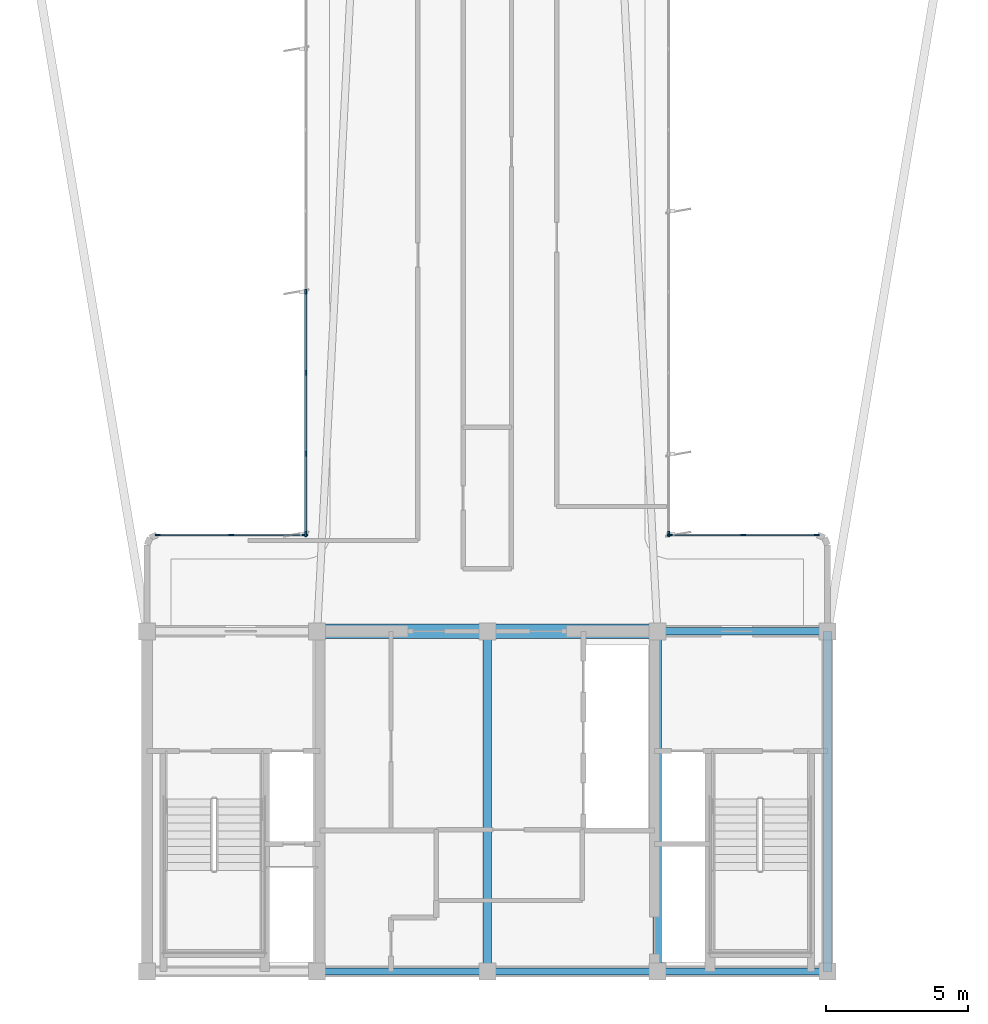
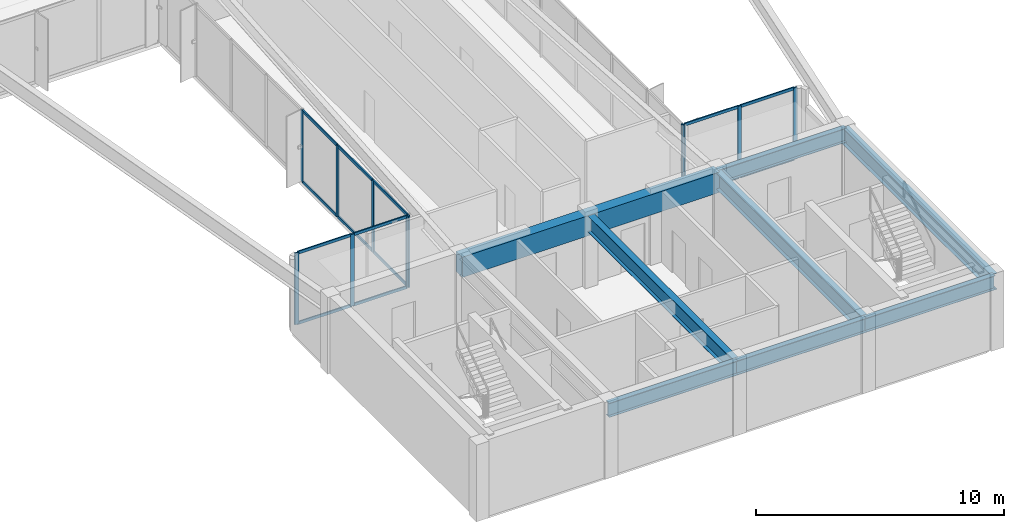
# One storey, part 2 of 16: 25 members, 8 beams, 4 elements without a shape of their own.
"""IFC4 building model written with IfcOpenShell, lengths in metres."""

from ifc_helpers import new_model, si_unit, direction, frame, origin, origin_2d, place, context, subcontext, project, spatial, rectangle, i_section, extrude, source, transform, mapped, material, layer, layer_set, material_profile, profile_set, type_object, element, aggregate, save


model = new_model("IFC4")

# Units and contexts
model_context = context("Model", 3, precision=1e-05, world=origin(), true_north=direction((0.0, 1.0)))
body_context = subcontext(model_context, "Body", "Model", "MODEL_VIEW")
ifc_project = project(units=[si_unit("LENGTHUNIT", "METRE"), si_unit("AREAUNIT", "SQUARE_METRE"), si_unit("VOLUMEUNIT", "CUBIC_METRE"), si_unit("PLANEANGLEUNIT", "RADIAN"), si_unit("MASSUNIT", "GRAM", prefix="KILO")], contexts=[model_context])

# Site, building, storey
site_placement = place(None, origin())
site = spatial("IfcSite", under=ifc_project, at=site_placement, CompositionType="ELEMENT")
building_placement = place(site_placement, origin())
building = spatial("IfcBuilding", under=site, at=building_placement, Name="Brelvock Crest Care Tower", CompositionType="ELEMENT")
storey_placement = place(building_placement, frame((0.0, 0.0, 230.580078125)))
storey = spatial("IfcBuildingStorey", under=building, at=storey_placement, Name="L58", CompositionType="ELEMENT", Elevation=230.580078125)

# Beams
ifc_material_1 = material(Name="Steel Grade 350", Category="steel")
ifc_material_profile_1 = material_profile(ifc_material_1, i_section(OverallWidth=0.25, OverallDepth=0.699951171875, WebThickness=0.011962890625, FlangeThickness=0.02001953125, at=origin_2d()), Name="700WB150")
ifc_profile_set_1 = profile_set([ifc_material_profile_1], Name="Steel Grade 350")
beam_type_1 = type_object("IfcBeamType", Name="BM-G4", PredefinedType="BEAM", material=ifc_profile_set_1)
shared_shape_1 = source(origin(), body_context, "Body", "SweptSolid", [
    extrude(i_section(OverallWidth=0.25, OverallDepth=0.699951171875, WebThickness=0.011962890625, FlangeThickness=0.02001953125, at=origin_2d()), origin(), (0.0, 0.0, 1.0), 6.0),
])
for number, where, z_axis, x_axis, name in (
    (1, (30.0, 6.0, 3.179931640625), (1.0, 0.0, 0.0), (0.0, 1.0, 0.0), "BM-CORES-L58-2"),
    (2, (36.0, 6.0, 3.179931640625), (1.0, 0.0, 0.0), (0.0, 1.0, 0.0), "BM-CORES-L58-3"),
    (3, (42.0, 6.0, 3.179931640625), (1.0, 0.0, 0.0), (0.0, 1.0, 0.0), "BM-CORES-L58-4"),
    (4, (42.0, 18.0, 3.179931640625), (1.0, 0.0, 0.0), (0.0, 1.0, 0.0), "BM-COREN-L58-4"),
):
    element("IfcBeam", number, at=place(storey_placement, frame(where, z_axis=z_axis, x_axis=x_axis)), inside=storey, type_object=beam_type_1, Name=name, PredefinedType="BEAM", context=body_context, shape_type="MappedRepresentation", body=[
        mapped(shared_shape_1, transform((0.0, 0.0, 0.0), x_axis=(1.0, 0.0, 0.0), y_axis=(0.0, 1.0, 0.0), z_axis=(0.0, 0.0, 1.0), scale=1.0)),
    ])
ifc_material_profile_2 = material_profile(ifc_material_1, i_section(OverallWidth=0.300048828125, OverallDepth=0.800048828125, WebThickness=0.013916015625, FlangeThickness=0.02197265625, at=origin_2d()), Name="800WB192")
ifc_profile_set_2 = profile_set([ifc_material_profile_2], Name="Steel Grade 350")
beam_type_2 = type_object("IfcBeamType", Name="BM-G5", PredefinedType="BEAM", material=ifc_profile_set_2)
shared_shape_2 = source(origin(), body_context, "Body", "SweptSolid", [
    extrude(i_section(OverallWidth=0.300048828125, OverallDepth=0.800048828125, WebThickness=0.013916015625, FlangeThickness=0.02197265625, at=origin_2d()), origin(), (0.0, 0.0, 1.0), 12.0),
])
for number, where, z_axis, x_axis, name in (
    (5, (36.0, 6.0, 3.1298828125), (0.0, 1.0, 0.0), (-1.0, 0.0, 0.0), "BM-COREX-L58-3"),
    (6, (42.0, 6.0, 3.1298828125), (0.0, 1.0, 0.0), (-1.0, 0.0, 0.0), "BM-COREX-L58-4"),
    (7, (48.0, 6.0, 3.1298828125), (0.0, 1.0, 0.0), (-1.0, 0.0, 0.0), "BM-COREX-L58-5"),
):
    element("IfcBeam", number, at=place(storey_placement, frame(where, z_axis=z_axis, x_axis=x_axis)), inside=storey, type_object=beam_type_2, Name=name, PredefinedType="BEAM", context=body_context, shape_type="MappedRepresentation", body=[
        mapped(shared_shape_2, transform((0.0, 0.0, 0.0), x_axis=(1.0, 0.0, 0.0), y_axis=(0.0, 1.0, 0.0), z_axis=(0.0, 0.0, 1.0), scale=1.0)),
    ])
ifc_material_2 = material(Name="Concrete S65 (65 MPa)", Category="concrete")
ifc_material_profile_3 = material_profile(ifc_material_2, rectangle(XDim=0.5, YDim=1.0, at=origin_2d()), Name="RC500x1000")
ifc_profile_set_3 = profile_set([ifc_material_profile_3], Name="Concrete S65 (65 MPa)")
beam_type_3 = type_object("IfcBeamType", Name="BM-LN2", PredefinedType="LINTEL", material=ifc_profile_set_3)
shared_shape_3 = source(origin(), body_context, "Body", "SweptSolid", [
    extrude(rectangle(XDim=0.5, YDim=1.0, at=origin_2d()), origin(), (0.0, 0.0, 1.0), 12.0),
])
beam_placement = place(storey_placement, frame((30.0, 18.0, 3.030029296875), z_axis=(1.0, 0.0, 0.0), x_axis=(0.0, 1.0, 0.0)))
element("IfcBeam", 8, at=beam_placement, inside=storey, type_object=beam_type_3, Name="L58 Core Coupling Lintel Beam", PredefinedType="LINTEL", context=body_context, shape_type="MappedRepresentation", body=[
    mapped(shared_shape_3, transform((0.0, 0.0, 0.0), x_axis=(1.0, 0.0, 0.0), y_axis=(0.0, 1.0, 0.0), z_axis=(0.0, 0.0, 1.0), scale=1.0)),
])

# Curtain wall, members
ifc_material_3 = material(Name="Dark Glass Double Glazed Low-E", Category="glass")
ifc_layer = layer(ifc_material_3, 0.239990234375, Name="CWS-5")
ifc_layer_set = layer_set([ifc_layer], Name="Dark Glass Double Glazed Low-E")
curtain_wall_type = type_object("IfcCurtainWallType", Name="CWS-5", PredefinedType="NOTDEFINED", material=ifc_layer_set)
curtain_wall_1_placement = place(storey_placement, origin())
curtain_wall_1 = element("IfcCurtainWall", 9, at=curtain_wall_1_placement, inside=storey, type_object=curtain_wall_type, Name="L58 Curtain Wall E10", PredefinedType="NOTDEFINED")
ifc_material_4 = material(Name="Aluminium 6063-T6", Category="aluminium")
ifc_material_profile_4 = material_profile(ifc_material_4, rectangle(XDim=0.06005859375, YDim=0.179931640625, at=origin_2d()), Name="ALU60x180")
ifc_profile_set_4 = profile_set([ifc_material_profile_4], Name="Aluminium 6063-T6")
member_type_1 = type_object("IfcMemberType", Name="CWM-2", PredefinedType="MULLION", material=ifc_profile_set_4)
shared_shape_4 = source(origin(), body_context, "Body", "SweptSolid", [
    extrude(rectangle(XDim=0.06005859375, YDim=0.179931640625, at=origin_2d()), origin(), (0.0, 0.0, 1.0), 3.530029296875),
])
member_1_placement = place(storey_placement, frame((24.3798828125, 21.39990234375, 0.0), z_axis=(0.0, 0.0, 1.0), x_axis=(0.0, 1.0, 0.0)))
member_1 = element("IfcMember", 10, at=member_1_placement, type_object=member_type_1, Name="CW-5 mullion 1", PredefinedType="MULLION", context=body_context, shape_type="MappedRepresentation", body=[
    mapped(shared_shape_4, transform((0.0, 0.0, 0.0), x_axis=(1.0, 0.0, 0.0), y_axis=(0.0, 1.0, 0.0), z_axis=(0.0, 0.0, 1.0), scale=1.0)),
])
member_2_placement = place(storey_placement, frame((26.97509765625, 21.39990234375, 0.0), z_axis=(0.0, 0.0, 1.0), x_axis=(0.0, 1.0, 0.0)))
member_2 = element("IfcMember", 11, at=member_2_placement, type_object=member_type_1, Name="CW-5 mullion 2", PredefinedType="MULLION", context=body_context, shape_type="MappedRepresentation", body=[
    mapped(shared_shape_4, transform((0.0, 0.0, 0.0), x_axis=(1.0, 0.0, 0.0), y_axis=(0.0, 1.0, 0.0), z_axis=(0.0, 0.0, 1.0), scale=1.0)),
])
member_3_placement = place(storey_placement, frame((29.570068359375, 21.39990234375, 0.0), z_axis=(0.0, 0.0, 1.0), x_axis=(0.0, 1.0, 0.0)))
member_3 = element("IfcMember", 12, at=member_3_placement, type_object=member_type_1, Name="CW-5 mullion 3", PredefinedType="MULLION", context=body_context, shape_type="MappedRepresentation", body=[
    mapped(shared_shape_4, transform((0.0, 0.0, 0.0), x_axis=(1.0, 0.0, 0.0), y_axis=(0.0, 1.0, 0.0), z_axis=(0.0, 0.0, 1.0), scale=1.0)),
])

curtain_wall_2_placement = place(storey_placement, origin())
curtain_wall_2 = element("IfcCurtainWall", 13, at=curtain_wall_2_placement, inside=storey, type_object=curtain_wall_type, Name="L58 Curtain Wall E11", PredefinedType="NOTDEFINED")
member_4_placement = place(storey_placement, frame((29.60009765625, 21.429931640625, 0.0), z_axis=(0.0, 0.0, 1.0), x_axis=(-1.0, 0.0, 0.0)))
member_4 = element("IfcMember", 14, at=member_4_placement, type_object=member_type_1, Name="CW-5 mullion 1", PredefinedType="MULLION", context=body_context, shape_type="MappedRepresentation", body=[
    mapped(shared_shape_4, transform((0.0, 0.0, 0.0), x_axis=(1.0, 0.0, 0.0), y_axis=(0.0, 1.0, 0.0), z_axis=(0.0, 0.0, 1.0), scale=1.0)),
])
member_5_placement = place(storey_placement, frame((29.60009765625, 24.257080078125, 0.0), z_axis=(0.0, 0.0, 1.0), x_axis=(-1.0, 0.0, 0.0)))
member_5 = element("IfcMember", 15, at=member_5_placement, type_object=member_type_1, Name="CW-5 mullion 2", PredefinedType="MULLION", context=body_context, shape_type="MappedRepresentation", body=[
    mapped(shared_shape_4, transform((0.0, 0.0, 0.0), x_axis=(1.0, 0.0, 0.0), y_axis=(0.0, 1.0, 0.0), z_axis=(0.0, 0.0, 1.0), scale=1.0)),
])
member_6_placement = place(storey_placement, frame((29.60009765625, 27.1142578125, 0.0), z_axis=(0.0, 0.0, 1.0), x_axis=(-1.0, 0.0, 0.0)))
member_6 = element("IfcMember", 16, at=member_6_placement, type_object=member_type_1, Name="CW-5 mullion 3", PredefinedType="MULLION", context=body_context, shape_type="MappedRepresentation", body=[
    mapped(shared_shape_4, transform((0.0, 0.0, 0.0), x_axis=(1.0, 0.0, 0.0), y_axis=(0.0, 1.0, 0.0), z_axis=(0.0, 0.0, 1.0), scale=1.0)),
])
member_7_placement = place(storey_placement, frame((29.60009765625, 29.971435546875, 0.0), z_axis=(0.0, 0.0, 1.0), x_axis=(-1.0, 0.0, 0.0)))
member_7 = element("IfcMember", 17, at=member_7_placement, type_object=member_type_1, Name="CW-5 mullion 4", PredefinedType="MULLION", context=body_context, shape_type="MappedRepresentation", body=[
    mapped(shared_shape_4, transform((0.0, 0.0, 0.0), x_axis=(1.0, 0.0, 0.0), y_axis=(0.0, 1.0, 0.0), z_axis=(0.0, 0.0, 1.0), scale=1.0)),
])

# Curtain wall, member
curtain_wall_3_placement = place(storey_placement, origin())
curtain_wall_3 = element("IfcCurtainWall", 18, at=curtain_wall_3_placement, inside=storey, type_object=curtain_wall_type, Name="L58 Curtain Wall E45", PredefinedType="NOTDEFINED")
member_8_placement = place(storey_placement, frame((42.39990234375, 21.429931640625, 0.0), z_axis=(0.0, 0.0, 1.0), x_axis=(1.0, 0.0, 0.0)))
member_8 = element("IfcMember", 19, at=member_8_placement, type_object=member_type_1, Name="CW-5 mullion 8", PredefinedType="MULLION", context=body_context, shape_type="MappedRepresentation", body=[
    mapped(shared_shape_4, transform((0.0, 0.0, 0.0), x_axis=(1.0, 0.0, 0.0), y_axis=(0.0, 1.0, 0.0), z_axis=(0.0, 0.0, 1.0), scale=1.0)),
])
aggregate(curtain_wall_3, [member_8])

# Curtain wall, members
curtain_wall_4_placement = place(storey_placement, origin())
curtain_wall_4 = element("IfcCurtainWall", 20, at=curtain_wall_4_placement, inside=storey, type_object=curtain_wall_type, Name="L58 Curtain Wall E46", PredefinedType="NOTDEFINED")
member_9_placement = place(storey_placement, frame((42.429931640625, 21.39990234375, 0.0), z_axis=(0.0, 0.0, 1.0), x_axis=(0.0, 1.0, 0.0)))
member_9 = element("IfcMember", 21, at=member_9_placement, type_object=member_type_1, Name="CW-5 mullion 1", PredefinedType="MULLION", context=body_context, shape_type="MappedRepresentation", body=[
    mapped(shared_shape_4, transform((0.0, 0.0, 0.0), x_axis=(1.0, 0.0, 0.0), y_axis=(0.0, 1.0, 0.0), z_axis=(0.0, 0.0, 1.0), scale=1.0)),
])
member_10_placement = place(storey_placement, frame((45.02490234375, 21.39990234375, 0.0), z_axis=(0.0, 0.0, 1.0), x_axis=(0.0, 1.0, 0.0)))
member_10 = element("IfcMember", 22, at=member_10_placement, type_object=member_type_1, Name="CW-5 mullion 2", PredefinedType="MULLION", context=body_context, shape_type="MappedRepresentation", body=[
    mapped(shared_shape_4, transform((0.0, 0.0, 0.0), x_axis=(1.0, 0.0, 0.0), y_axis=(0.0, 1.0, 0.0), z_axis=(0.0, 0.0, 1.0), scale=1.0)),
])
member_11_placement = place(storey_placement, frame((47.6201171875, 21.39990234375, 0.0), z_axis=(0.0, 0.0, 1.0), x_axis=(0.0, 1.0, 0.0)))
member_11 = element("IfcMember", 23, at=member_11_placement, type_object=member_type_1, Name="CW-5 mullion 3", PredefinedType="MULLION", context=body_context, shape_type="MappedRepresentation", body=[
    mapped(shared_shape_4, transform((0.0, 0.0, 0.0), x_axis=(1.0, 0.0, 0.0), y_axis=(0.0, 1.0, 0.0), z_axis=(0.0, 0.0, 1.0), scale=1.0)),
])

# Member
ifc_material_profile_5 = material_profile(ifc_material_4, rectangle(XDim=0.06005859375, YDim=0.139892578125, at=origin_2d()), Name="ALU60x140")
ifc_profile_set_5 = profile_set([ifc_material_profile_5], Name="Aluminium 6063-T6")
member_type_2 = type_object("IfcMemberType", Name="CWT-2", PredefinedType="USERDEFINED", material=ifc_profile_set_5)
shared_shape_5 = source(origin(), body_context, "Body", "SweptSolid", [
    extrude(rectangle(XDim=0.06005859375, YDim=0.139892578125, at=origin_2d()), origin(), (0.0, 0.0, 1.0), 2.53515625),
])
member_12_placement = place(storey_placement, frame((24.409912109375, 21.39990234375, 0.030029296875), z_axis=(1.0, 0.0, 0.0), x_axis=(0.0, 1.0, 0.0)))
member_12 = element("IfcMember", 24, at=member_12_placement, type_object=member_type_2, Name="CW-5 transom 1.1", ObjectType="TRANSOM", PredefinedType="USERDEFINED", context=body_context, shape_type="MappedRepresentation", body=[
    mapped(shared_shape_5, transform((0.0, 0.0, 0.0), x_axis=(1.0, 0.0, 0.0), y_axis=(0.0, 1.0, 0.0), z_axis=(0.0, 0.0, 1.0), scale=1.0)),
])

member_13_placement = place(storey_placement, frame((24.409912109375, 21.39990234375, 3.5), z_axis=(1.0, 0.0, 0.0), x_axis=(0.0, 1.0, 0.0)))
member_13 = element("IfcMember", 25, at=member_13_placement, type_object=member_type_2, Name="CW-5 transom 1.2", ObjectType="TRANSOM", PredefinedType="USERDEFINED", context=body_context, shape_type="MappedRepresentation", body=[
    mapped(shared_shape_5, transform((0.0, 0.0, 0.0), x_axis=(1.0, 0.0, 0.0), y_axis=(0.0, 1.0, 0.0), z_axis=(0.0, 0.0, 1.0), scale=1.0)),
])

member_14_placement = place(storey_placement, frame((27.0048828125, 21.39990234375, 0.030029296875), z_axis=(1.0, 0.0, 0.0), x_axis=(0.0, 1.0, 0.0)))
member_14 = element("IfcMember", 26, at=member_14_placement, type_object=member_type_2, Name="CW-5 transom 2.1", ObjectType="TRANSOM", PredefinedType="USERDEFINED", context=body_context, shape_type="MappedRepresentation", body=[
    mapped(shared_shape_5, transform((0.0, 0.0, 0.0), x_axis=(1.0, 0.0, 0.0), y_axis=(0.0, 1.0, 0.0), z_axis=(0.0, 0.0, 1.0), scale=1.0)),
])

member_15_placement = place(storey_placement, frame((27.0048828125, 21.39990234375, 3.5), z_axis=(1.0, 0.0, 0.0), x_axis=(0.0, 1.0, 0.0)))
member_15 = element("IfcMember", 27, at=member_15_placement, type_object=member_type_2, Name="CW-5 transom 2.2", ObjectType="TRANSOM", PredefinedType="USERDEFINED", context=body_context, shape_type="MappedRepresentation", body=[
    mapped(shared_shape_5, transform((0.0, 0.0, 0.0), x_axis=(1.0, 0.0, 0.0), y_axis=(0.0, 1.0, 0.0), z_axis=(0.0, 0.0, 1.0), scale=1.0)),
])

aggregate(curtain_wall_1, [member_1, member_2, member_3, member_12, member_13, member_14, member_15])

member_16_placement = place(storey_placement, frame((42.4599609375, 21.39990234375, 0.030029296875), z_axis=(1.0, 0.0, 0.0), x_axis=(0.0, 1.0, 0.0)))
member_16 = element("IfcMember", 28, at=member_16_placement, type_object=member_type_2, Name="CW-5 transom 1.1", ObjectType="TRANSOM", PredefinedType="USERDEFINED", context=body_context, shape_type="MappedRepresentation", body=[
    mapped(shared_shape_5, transform((0.0, 0.0, 0.0), x_axis=(1.0, 0.0, 0.0), y_axis=(0.0, 1.0, 0.0), z_axis=(0.0, 0.0, 1.0), scale=1.0)),
])

member_17_placement = place(storey_placement, frame((42.4599609375, 21.39990234375, 3.5), z_axis=(1.0, 0.0, 0.0), x_axis=(0.0, 1.0, 0.0)))
member_17 = element("IfcMember", 29, at=member_17_placement, type_object=member_type_2, Name="CW-5 transom 1.2", ObjectType="TRANSOM", PredefinedType="USERDEFINED", context=body_context, shape_type="MappedRepresentation", body=[
    mapped(shared_shape_5, transform((0.0, 0.0, 0.0), x_axis=(1.0, 0.0, 0.0), y_axis=(0.0, 1.0, 0.0), z_axis=(0.0, 0.0, 1.0), scale=1.0)),
])

member_18_placement = place(storey_placement, frame((45.054931640625, 21.39990234375, 0.030029296875), z_axis=(1.0, 0.0, 0.0), x_axis=(0.0, 1.0, 0.0)))
member_18 = element("IfcMember", 30, at=member_18_placement, type_object=member_type_2, Name="CW-5 transom 2.1", ObjectType="TRANSOM", PredefinedType="USERDEFINED", context=body_context, shape_type="MappedRepresentation", body=[
    mapped(shared_shape_5, transform((0.0, 0.0, 0.0), x_axis=(1.0, 0.0, 0.0), y_axis=(0.0, 1.0, 0.0), z_axis=(0.0, 0.0, 1.0), scale=1.0)),
])

member_19_placement = place(storey_placement, frame((45.054931640625, 21.39990234375, 3.5), z_axis=(1.0, 0.0, 0.0), x_axis=(0.0, 1.0, 0.0)))
member_19 = element("IfcMember", 31, at=member_19_placement, type_object=member_type_2, Name="CW-5 transom 2.2", ObjectType="TRANSOM", PredefinedType="USERDEFINED", context=body_context, shape_type="MappedRepresentation", body=[
    mapped(shared_shape_5, transform((0.0, 0.0, 0.0), x_axis=(1.0, 0.0, 0.0), y_axis=(0.0, 1.0, 0.0), z_axis=(0.0, 0.0, 1.0), scale=1.0)),
])

aggregate(curtain_wall_4, [member_9, member_10, member_11, member_16, member_17, member_18, member_19])

shared_shape_6 = source(origin(), body_context, "Body", "SweptSolid", [
    extrude(rectangle(XDim=0.06005859375, YDim=0.139892578125, at=origin_2d()), origin(), (0.0, 0.0, 1.0), 2.76708984375),
])
member_20_placement = place(storey_placement, frame((29.60009765625, 21.4599609375, 0.030029296875), z_axis=(0.0, 1.0, 0.0), x_axis=(-1.0, 0.0, 0.0)))
member_20 = element("IfcMember", 32, at=member_20_placement, type_object=member_type_2, Name="CW-5 transom 1.1", ObjectType="TRANSOM", PredefinedType="USERDEFINED", context=body_context, shape_type="MappedRepresentation", body=[
    mapped(shared_shape_6, transform((0.0, 0.0, 0.0), x_axis=(1.0, 0.0, 0.0), y_axis=(0.0, 1.0, 0.0), z_axis=(0.0, 0.0, 1.0), scale=1.0)),
])

member_21_placement = place(storey_placement, frame((29.60009765625, 21.4599609375, 3.5), z_axis=(0.0, 1.0, 0.0), x_axis=(-1.0, 0.0, 0.0)))
member_21 = element("IfcMember", 33, at=member_21_placement, type_object=member_type_2, Name="CW-5 transom 1.2", ObjectType="TRANSOM", PredefinedType="USERDEFINED", context=body_context, shape_type="MappedRepresentation", body=[
    mapped(shared_shape_6, transform((0.0, 0.0, 0.0), x_axis=(1.0, 0.0, 0.0), y_axis=(0.0, 1.0, 0.0), z_axis=(0.0, 0.0, 1.0), scale=1.0)),
])

shared_shape_7 = source(origin(), body_context, "Body", "SweptSolid", [
    extrude(rectangle(XDim=0.06005859375, YDim=0.139892578125, at=origin_2d()), origin(), (0.0, 0.0, 1.0), 2.797119140625),
])
member_22_placement = place(storey_placement, frame((29.60009765625, 24.287109375, 0.030029296875), z_axis=(0.0, 1.0, 0.0), x_axis=(-1.0, 0.0, 0.0)))
member_22 = element("IfcMember", 34, at=member_22_placement, type_object=member_type_2, Name="CW-5 transom 2.1", ObjectType="TRANSOM", PredefinedType="USERDEFINED", context=body_context, shape_type="MappedRepresentation", body=[
    mapped(shared_shape_7, transform((0.0, 0.0, 0.0), x_axis=(1.0, 0.0, 0.0), y_axis=(0.0, 1.0, 0.0), z_axis=(0.0, 0.0, 1.0), scale=1.0)),
])

member_23_placement = place(storey_placement, frame((29.60009765625, 24.287109375, 3.5), z_axis=(0.0, 1.0, 0.0), x_axis=(-1.0, 0.0, 0.0)))
member_23 = element("IfcMember", 35, at=member_23_placement, type_object=member_type_2, Name="CW-5 transom 2.2", ObjectType="TRANSOM", PredefinedType="USERDEFINED", context=body_context, shape_type="MappedRepresentation", body=[
    mapped(shared_shape_7, transform((0.0, 0.0, 0.0), x_axis=(1.0, 0.0, 0.0), y_axis=(0.0, 1.0, 0.0), z_axis=(0.0, 0.0, 1.0), scale=1.0)),
])

member_24_placement = place(storey_placement, frame((29.60009765625, 27.144287109375, 0.030029296875), z_axis=(0.0, 1.0, 0.0), x_axis=(-1.0, 0.0, 0.0)))
member_24 = element("IfcMember", 36, at=member_24_placement, type_object=member_type_2, Name="CW-5 transom 3.1", ObjectType="TRANSOM", PredefinedType="USERDEFINED", context=body_context, shape_type="MappedRepresentation", body=[
    mapped(shared_shape_7, transform((0.0, 0.0, 0.0), x_axis=(1.0, 0.0, 0.0), y_axis=(0.0, 1.0, 0.0), z_axis=(0.0, 0.0, 1.0), scale=1.0)),
])

member_25_placement = place(storey_placement, frame((29.60009765625, 27.144287109375, 3.5), z_axis=(0.0, 1.0, 0.0), x_axis=(-1.0, 0.0, 0.0)))
member_25 = element("IfcMember", 37, at=member_25_placement, type_object=member_type_2, Name="CW-5 transom 3.2", ObjectType="TRANSOM", PredefinedType="USERDEFINED", context=body_context, shape_type="MappedRepresentation", body=[
    mapped(shared_shape_7, transform((0.0, 0.0, 0.0), x_axis=(1.0, 0.0, 0.0), y_axis=(0.0, 1.0, 0.0), z_axis=(0.0, 0.0, 1.0), scale=1.0)),
])

aggregate(curtain_wall_2, [member_4, member_5, member_6, member_7, member_20, member_21, member_22, member_23, member_24, member_25])

save(model, "model.ifc")
